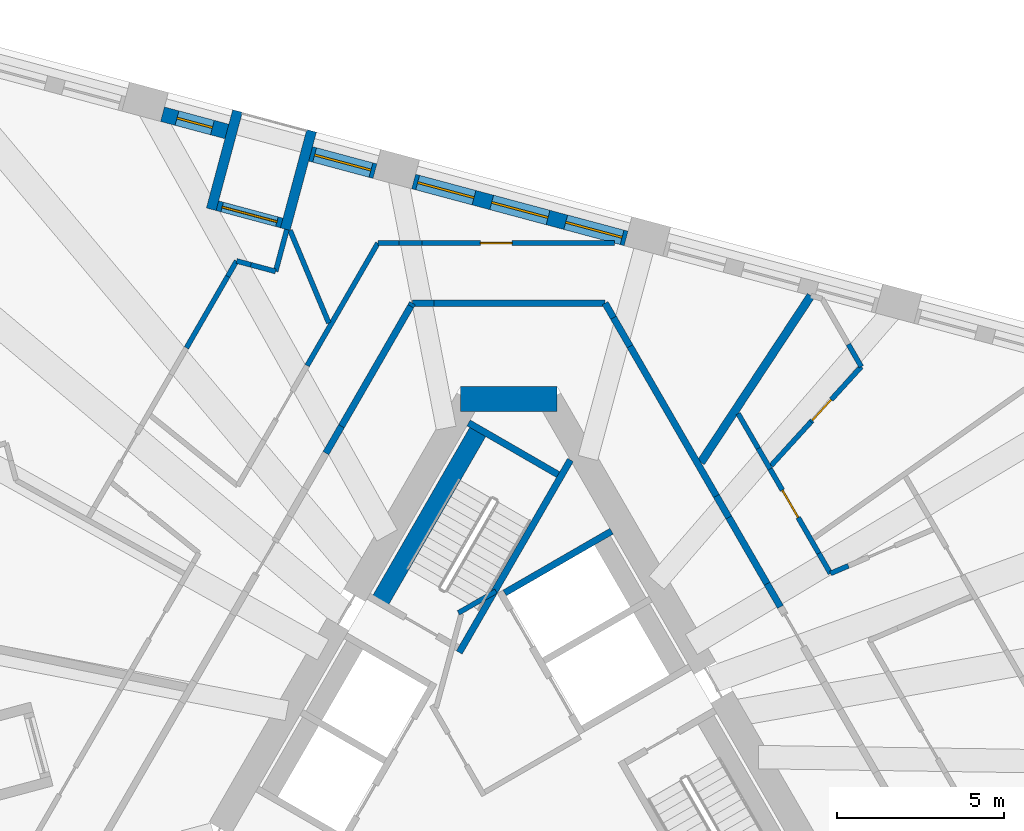
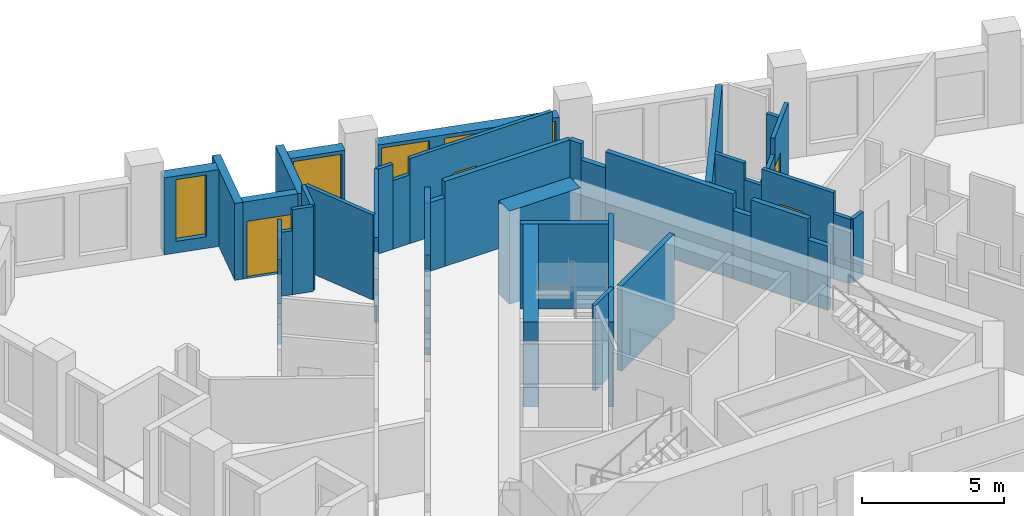
# One storey, part 7 of 13: 42 walls, 5 windows, 4 doors, 9 openings.
"""IFC4 building model written with IfcOpenShell, lengths in metres."""

from ifc_helpers import new_model, si_unit, direction, frame, frame_2d, origin, place, context, subcontext, project, spatial, rectangle, extrude, material, layer, layer_set, type_object, element, fill, save


model = new_model("IFC4")

# Units and contexts
model_context = context("Model", 3, precision=1e-05, world=origin(), true_north=direction((0.0, 1.0)))
body_context = subcontext(model_context, "Body", "Model", "MODEL_VIEW")
ifc_project = project(units=[si_unit("LENGTHUNIT", "METRE"), si_unit("AREAUNIT", "SQUARE_METRE"), si_unit("VOLUMEUNIT", "CUBIC_METRE"), si_unit("PLANEANGLEUNIT", "RADIAN"), si_unit("MASSUNIT", "GRAM", prefix="KILO")], contexts=[model_context])

# Site, building, storey
site_placement = place(None, origin())
site = spatial("IfcSite", under=ifc_project, at=site_placement, CompositionType="ELEMENT")
building_placement = place(site_placement, origin())
building = spatial("IfcBuilding", under=site, at=building_placement, Name="Tramontana Tower", CompositionType="ELEMENT")
storey_placement = place(building_placement, frame((0.0, 0.0, 224.0)))
storey = spatial("IfcBuildingStorey", under=building, at=storey_placement, Name="L52", CompositionType="ELEMENT", Elevation=224.0)

# Walls
ifc_material_1 = material(Name="Concrete 70 MPa", Category="concrete")
ifc_layer_1 = layer(ifc_material_1, 0.75)
ifc_layer_set_1 = layer_set([ifc_layer_1], Name="Core wall 750 70 MPa")
wall_type_1 = type_object("IfcWallType", Name="Core wall 750 70 MPa", PredefinedType="SHEAR", material=ifc_layer_set_1)
wall_1_placement = place(storey_placement, frame((1.443359375, 10.625, 0.0), z_axis=(0.0, 0.0, 1.0), x_axis=(-1.0, 0.0, 0.0)))
element("IfcWall", 1, at=wall_1_placement, inside=storey, type_object=wall_type_1, Name="Core wall C0 L52", PredefinedType="SHEAR", context=body_context, shape_type="SweptSolid", body=[
    extrude(rectangle(XDim=2.88671875, YDim=0.75, at=frame_2d((1.443359375, 0.0))), origin(), (0.0, 0.0, 1.0), 4.0),
])
ifc_material_2 = material(Name="Blockwork", Category="masonry")
ifc_layer_2 = layer(ifc_material_2, 0.199951171875)
ifc_layer_set_2 = layer_set([ifc_layer_2], Name="ENTRY WALL 200")
wall_type_2 = type_object("IfcWallType", Name="ENTRY WALL 200", PredefinedType="SOLIDWALL", material=ifc_layer_set_2)
wall_2_placement = place(storey_placement, frame((2.88671875, 13.5, 0.0), z_axis=(0.0, 0.0, 1.0), x_axis=(0.500002592159, -0.866023907196, 0.0)))
element("IfcWall", 2, at=wall_2_placement, inside=storey, type_object=wall_type_2, Name="Wall v52-ew0-0", PredefinedType="SOLIDWALL", context=body_context, shape_type="SweptSolid", body=[
    extrude(rectangle(XDim=0.5029296875, YDim=0.199951171875, at=frame_2d((0.25146484375, 0.0))), origin(), (0.0, 0.0, 1.0), 3.64990234375),
])
wall_3_placement = place(storey_placement, frame((3.13818359375, 13.064453125, 0.0), z_axis=(0.0, 0.0, 1.0), x_axis=(0.500063959222, -0.865988473761, 0.0)))
element("IfcWall", 3, at=wall_3_placement, inside=storey, type_object=wall_type_2, Name="Wall v52-ew0-1", PredefinedType="SOLIDWALL", context=body_context, shape_type="SweptSolid", body=[
    extrude(rectangle(XDim=0.989990234375, YDim=0.199951171875, at=frame_2d((0.4951171875, 0.0))), origin(), (0.0, 0.0, 1.0), 2.949951171875),
])
wall_4_placement = place(storey_placement, frame((3.63330078125, 12.20703125, 0.0), z_axis=(0.0, 0.0, 1.0), x_axis=(0.499990271856, -0.866031020258, 0.0)))
element("IfcWall", 4, at=wall_4_placement, inside=storey, type_object=wall_type_2, Name="Wall v52-ew0-2", PredefinedType="SOLIDWALL", context=body_context, shape_type="SweptSolid", body=[
    extrude(rectangle(XDim=5.181640625, YDim=0.199951171875, at=frame_2d((2.5908203125, 0.0))), origin(), (0.0, 0.0, 1.0), 3.64990234375),
])
wall_5_placement = place(storey_placement, frame((6.22412109375, 7.719482421875, 0.0), z_axis=(0.0, 0.0, 1.0), x_axis=(0.499931655587, -0.866064858854, 0.0)))
element("IfcWall", 5, at=wall_5_placement, inside=storey, type_object=wall_type_2, Name="Wall v52-ew0-3", PredefinedType="SOLIDWALL", context=body_context, shape_type="SweptSolid", body=[
    extrude(rectangle(XDim=0.74072265625, YDim=0.199951171875, at=frame_2d((0.370361328125, 0.0))), origin(), (0.0, 0.0, 1.0), 2.949951171875),
])
wall_6_placement = place(storey_placement, frame((6.594482421875, 7.077880859375, 0.0), z_axis=(0.0, 0.0, 1.0), x_axis=(0.500013761451, -0.866017458461, 0.0)))
element("IfcWall", 6, at=wall_6_placement, inside=storey, type_object=wall_type_2, Name="Wall v52-ew0-4", PredefinedType="SOLIDWALL", context=body_context, shape_type="SweptSolid", body=[
    extrude(rectangle(XDim=2.29736328125, YDim=0.199951171875, at=frame_2d((1.148681640625, 0.0))), origin(), (0.0, 0.0, 1.0), 3.64990234375),
])
wall_7_placement = place(storey_placement, frame((7.7431640625, 5.08837890625, 0.0), z_axis=(0.0, 0.0, 1.0), x_axis=(0.500109828528, -0.865961984968, 0.0)))
element("IfcWall", 7, at=wall_7_placement, inside=storey, type_object=wall_type_2, Name="Wall v52-ew0-5", PredefinedType="SOLIDWALL", context=body_context, shape_type="SweptSolid", body=[
    extrude(rectangle(XDim=0.800048828125, YDim=0.199951171875, at=frame_2d((0.39990234375, 0.0))), origin(), (0.0, 0.0, 1.0), 2.75),
])
wall_8_placement = place(storey_placement, frame((-5.482666015625, 9.003662109375, 0.0), z_axis=(0.0, 0.0, 1.0), x_axis=(0.499971966783, 0.866041588165, 0.0)))
element("IfcWall", 8, at=wall_8_placement, inside=storey, type_object=wall_type_2, Name="Wall v52-ew4-11", PredefinedType="SOLIDWALL", context=body_context, shape_type="SweptSolid", body=[
    extrude(rectangle(XDim=0.931640625, YDim=0.199951171875, at=frame_2d((0.4658203125, 0.0))), origin(), (0.0, 0.0, 1.0), 2.75),
])
wall_9_placement = place(storey_placement, frame((-5.016845703125, 9.810546875, 0.0), z_axis=(0.0, 0.0, 1.0), x_axis=(0.499993700073, 0.866029041019, 0.0)))
element("IfcWall", 9, at=wall_9_placement, inside=storey, type_object=wall_type_2, Name="Wall v52-ew4-12", PredefinedType="SOLIDWALL", context=body_context, shape_type="SweptSolid", body=[
    extrude(rectangle(XDim=4.1552734375, YDim=0.199951171875, at=frame_2d((2.07763671875, 0.0))), origin(), (0.0, 0.0, 1.0), 3.64990234375),
])
wall_10_placement = place(storey_placement, frame((-2.939208984375, 13.4091796875, 0.0), z_axis=(0.0, 0.0, 1.0), x_axis=(0.500393920955, 0.865797853931, 0.0)))
element("IfcWall", 10, at=wall_10_placement, inside=storey, type_object=wall_type_2, Name="Wall v52-ew4-13", PredefinedType="SOLIDWALL", context=body_context, shape_type="SweptSolid", body=[
    extrude(rectangle(XDim=0.10498046875, YDim=0.199951171875, at=frame_2d((0.052490234375, 0.0))), origin(), (0.0, 0.0, 1.0), 2.949951171875),
])
wall_11_placement = place(storey_placement, frame((-2.88671875, 13.5, 0.0), z_axis=(0.0, 0.0, 1.0), x_axis=(1.0, 0.0, 0.0)))
element("IfcWall", 11, at=wall_11_placement, inside=storey, type_object=wall_type_2, Name="Wall v52-ew5-0", PredefinedType="SOLIDWALL", context=body_context, shape_type="SweptSolid", body=[
    extrude(rectangle(XDim=0.642822265625, YDim=0.199951171875, at=frame_2d((0.3212890625, 0.0))), origin(), (0.0, 0.0, 1.0), 2.949951171875),
])
wall_12_placement = place(storey_placement, frame((-2.243896484375, 13.5, 0.0), z_axis=(0.0, 0.0, 1.0), x_axis=(1.0, 0.0, 0.0)))
element("IfcWall", 12, at=wall_12_placement, inside=storey, type_object=wall_type_2, Name="Wall v52-ew5-1", PredefinedType="SOLIDWALL", context=body_context, shape_type="SweptSolid", body=[
    extrude(rectangle(XDim=5.130615234375, YDim=0.199951171875, at=frame_2d((2.5654296875, 0.0))), origin(), (0.0, 0.0, 1.0), 3.64990234375),
])

# Wall, openings, windows
ifc_material_3 = material(Name="Precast concrete 60 MPa", Category="concrete")
ifc_layer_3 = layer(ifc_material_3, 0.449951171875)
ifc_layer_set_3 = layer_set([ifc_layer_3], Name="Precast concrete 60 MPa, 450 mm")
wall_type_3 = type_object("IfcWallType", Name="EW1 Stone-faced precast wall 450", PredefinedType="SOLIDWALL", material=ifc_layer_set_3)
wall_13_placement = place(storey_placement, frame((3.516357421875, 15.441162109375, 0.0), z_axis=(0.0, 0.0, 1.0), x_axis=(-0.965933178973, 0.258791602952, 0.0)))
wall_13 = element("IfcWall", 13, at=wall_13_placement, inside=storey, type_object=wall_type_3, Name="External wall L52 face 2 bay 4", PredefinedType="SOLIDWALL", context=body_context, shape_type="SweptSolid", body=[
    extrude(rectangle(XDim=6.59423828125, YDim=0.449951171875, at=frame_2d((3.297119140625, 0.0))), origin(), (0.0, 0.0, 1.0), 3.300048828125),
])
opening_1_placement = place(wall_13_placement, frame((0.1240234375, 0.0, 0.5)))
opening_1 = element("IfcOpeningElement", 14, at=opening_1_placement, cuts=wall_13, Name="Opening M2", PredefinedType="OPENING", context=body_context, shape_type="SweptSolid", body=[
    extrude(rectangle(XDim=1.75, YDim=2.64990234375, at=frame_2d((0.875, 1.324951171875))), frame((0.0, 0.23486328125, 0.0), z_axis=(0.0, -1.0, 0.0), x_axis=(1.0, 0.0, 0.0)), (0.0, 0.0, 1.0), 0.469970703125),
])
opening_2_placement = place(wall_13_placement, frame((2.422119140625, 0.0, 0.5)))
opening_2 = element("IfcOpeningElement", 15, at=opening_2_placement, cuts=wall_13, Name="Opening M2", PredefinedType="OPENING", context=body_context, shape_type="SweptSolid", body=[
    extrude(rectangle(XDim=1.75, YDim=2.64990234375, at=frame_2d((0.875, 1.324951171875))), frame((0.0, 0.23486328125, 0.0), z_axis=(0.0, -1.0, 0.0), x_axis=(1.0, 0.0, 0.0)), (0.0, 0.0, 1.0), 0.469970703125),
])
opening_3_placement = place(wall_13_placement, frame((4.72021484375, 0.0, 0.5)))
opening_3 = element("IfcOpeningElement", 16, at=opening_3_placement, cuts=wall_13, Name="Opening M2", PredefinedType="OPENING", context=body_context, shape_type="SweptSolid", body=[
    extrude(rectangle(XDim=1.75, YDim=2.64990234375, at=frame_2d((0.875, 1.324951171875))), frame((0.0, 0.23486328125, 0.0), z_axis=(0.0, -1.0, 0.0), x_axis=(1.0, 0.0, 0.0)), (0.0, 0.0, 1.0), 0.469970703125),
])
ifc_material_4 = material(Name="Aluminum frame, double glazing unit", Category="aluminium")
window_type_1 = type_object("IfcWindowType", Name="M2 Window 1.75 x 2.65", PartitioningType="SINGLE_PANEL", PredefinedType="WINDOW", material=ifc_material_4)
window_1_placement = place(opening_1_placement, origin())
window_1 = element("IfcWindow", 17, at=window_1_placement, inside=storey, type_object=window_type_1, Name="Window M2 L52 face 2 module 10", OverallHeight=2.64990234375, OverallWidth=1.75, PartitioningType="SINGLE_PANEL", PredefinedType="WINDOW", context=body_context, shape_type="SweptSolid", body=[
    extrude(rectangle(XDim=1.75, YDim=2.64990234375, at=frame_2d((0.875, 1.324951171875))), frame((0.0, 0.030029296875, 0.0), z_axis=(0.0, -1.0, 0.0), x_axis=(1.0, 0.0, 0.0)), (0.0, 0.0, 1.0), 0.06005859375),
])
fill(opening_1, window_1)
window_2_placement = place(opening_2_placement, origin())
window_2 = element("IfcWindow", 18, at=window_2_placement, inside=storey, type_object=window_type_1, Name="Window M2 L52 face 2 module 11", OverallHeight=2.64990234375, OverallWidth=1.75, PartitioningType="SINGLE_PANEL", PredefinedType="WINDOW", context=body_context, shape_type="SweptSolid", body=[
    extrude(rectangle(XDim=1.75, YDim=2.64990234375, at=frame_2d((0.875, 1.324951171875))), frame((0.0, 0.030029296875, 0.0), z_axis=(0.0, -1.0, 0.0), x_axis=(1.0, 0.0, 0.0)), (0.0, 0.0, 1.0), 0.06005859375),
])
fill(opening_2, window_2)
window_3_placement = place(opening_3_placement, origin())
window_3 = element("IfcWindow", 19, at=window_3_placement, inside=storey, type_object=window_type_1, Name="Window M2 L52 face 2 module 12", OverallHeight=2.64990234375, OverallWidth=1.75, PartitioningType="SINGLE_PANEL", PredefinedType="WINDOW", context=body_context, shape_type="SweptSolid", body=[
    extrude(rectangle(XDim=1.75, YDim=2.64990234375, at=frame_2d((0.875, 1.324951171875))), frame((0.0, 0.030029296875, 0.0), z_axis=(0.0, -1.0, 0.0), x_axis=(1.0, 0.0, 0.0)), (0.0, 0.0, 1.0), 0.06005859375),
])
fill(opening_3, window_3)

# Wall, opening, window
wall_14_placement = place(storey_placement, frame((-4.012451171875, 17.458251953125, 0.0), z_axis=(0.0, 0.0, 1.0), x_axis=(-0.965899500874, 0.25891727291, 0.0)))
wall_14 = element("IfcWall", 20, at=wall_14_placement, inside=storey, type_object=wall_type_3, Name="External wall L52 face 2 bay 5", PredefinedType="SOLIDWALL", context=body_context, shape_type="SweptSolid", body=[
    extrude(rectangle(XDim=1.998046875, YDim=0.449951171875, at=frame_2d((0.9990234375, 0.0))), origin(), (0.0, 0.0, 1.0), 3.300048828125),
])
opening_4_placement = place(wall_14_placement, frame((0.1240234375, 0.0, 0.5)))
opening_4 = element("IfcOpeningElement", 21, at=opening_4_placement, cuts=wall_14, Name="Opening M2", PredefinedType="OPENING", context=body_context, shape_type="SweptSolid", body=[
    extrude(rectangle(XDim=1.75, YDim=2.64990234375, at=frame_2d((0.875, 1.324951171875))), frame((0.0, 0.23486328125, 0.0), z_axis=(0.0, -1.0, 0.0), x_axis=(1.0, 0.0, 0.0)), (0.0, 0.0, 1.0), 0.469970703125),
])
window_4_placement = place(opening_4_placement, origin())
window_4 = element("IfcWindow", 22, at=window_4_placement, inside=storey, type_object=window_type_1, Name="Window M2 L52 face 2 module 13", OverallHeight=2.64990234375, OverallWidth=1.75, PartitioningType="SINGLE_PANEL", PredefinedType="WINDOW", context=body_context, shape_type="SweptSolid", body=[
    extrude(rectangle(XDim=1.75, YDim=2.64990234375, at=frame_2d((0.875, 1.324951171875))), frame((0.0, 0.030029296875, 0.0), z_axis=(0.0, -1.0, 0.0), x_axis=(1.0, 0.0, 0.0)), (0.0, 0.0, 1.0), 0.06005859375),
])
fill(opening_4, window_4)

wall_15_placement = place(storey_placement, frame((-8.451904296875, 18.64794921875, 0.0), z_axis=(0.0, 0.0, 1.0), x_axis=(-0.96593005298, 0.258803270362, 0.0)))
wall_15 = element("IfcWall", 23, at=wall_15_placement, inside=storey, type_object=wall_type_3, Name="External wall L52 face 2 bay 5", PredefinedType="SOLIDWALL", context=body_context, shape_type="SweptSolid", body=[
    extrude(rectangle(XDim=1.998046875, YDim=0.449951171875, at=frame_2d((0.9990234375, 0.0))), origin(), (0.0, 0.0, 1.0), 3.300048828125),
])
opening_5_placement = place(wall_15_placement, frame((0.448974609375, 0.0, 0.5)))
opening_5 = element("IfcOpeningElement", 24, at=opening_5_placement, cuts=wall_15, Name="Opening N2", PredefinedType="OPENING", context=body_context, shape_type="SweptSolid", body=[
    extrude(rectangle(XDim=1.10009765625, YDim=2.64990234375, at=frame_2d((0.550048828125, 1.324951171875))), frame((0.0, 0.23486328125, 0.0), z_axis=(0.0, -1.0, 0.0), x_axis=(1.0, 0.0, 0.0)), (0.0, 0.0, 1.0), 0.469970703125),
])
ifc_material_5 = material(Name="Aluminum frame, double glazing unit", Category="aluminium")
window_type_2 = type_object("IfcWindowType", Name="N2 Window 1.1 x 2.65", PartitioningType="SINGLE_PANEL", PredefinedType="WINDOW", material=ifc_material_5)
window_5_placement = place(opening_5_placement, origin())
window_5 = element("IfcWindow", 25, at=window_5_placement, inside=storey, type_object=window_type_2, Name="Window N2 L52 face 2 module 15", OverallHeight=2.64990234375, OverallWidth=1.10009765625, PartitioningType="SINGLE_PANEL", PredefinedType="WINDOW", context=body_context, shape_type="SweptSolid", body=[
    extrude(rectangle(XDim=1.10009765625, YDim=2.64990234375, at=frame_2d((0.550048828125, 1.324951171875))), frame((0.0, 0.030029296875, 0.0), z_axis=(0.0, -1.0, 0.0), x_axis=(1.0, 0.0, 0.0)), (0.0, 0.0, 1.0), 0.06005859375),
])
fill(opening_5, window_5)

# Wall, opening, door
ifc_material_6 = material(Name="Precast concrete 60 MPa", Category="concrete")
ifc_layer_4 = layer(ifc_material_6, 0.300048828125)
ifc_layer_set_4 = layer_set([ifc_layer_4], Name="LW1 Stone-faced loggia wall 300")
wall_type_4 = type_object("IfcWallType", Name="LW1 Stone-faced loggia wall 300", PredefinedType="SOLIDWALL", material=ifc_layer_set_4)
wall_16_placement = place(storey_placement, frame((-6.80810546875, 15.904052734375, 0.0), z_axis=(0.0, 0.0, 1.0), x_axis=(-0.96593005298, 0.258803270362, 0.0)))
wall_16 = element("IfcWall", 26, at=wall_16_placement, inside=storey, type_object=wall_type_4, Name="Loggia wall L52 G5S2.13", PredefinedType="SOLIDWALL", context=body_context, shape_type="SweptSolid", body=[
    extrude(rectangle(XDim=1.998046875, YDim=0.300048828125, at=frame_2d((0.9990234375, 0.0))), origin(), (0.0, 0.0, 1.0), 3.300048828125),
])
opening_6_placement = place(wall_16_placement, frame((0.14892578125, 0.0, 0.0)))
opening_6 = element("IfcOpeningElement", 27, at=opening_6_placement, cuts=wall_16, Name="Opening BD-5S2-13", PredefinedType="OPENING", context=body_context, shape_type="SweptSolid", body=[
    extrude(rectangle(XDim=1.699951171875, YDim=2.449951171875, at=frame_2d((0.85009765625, 1.22509765625))), frame((0.0, 0.159912109375, 0.0), z_axis=(0.0, -1.0, 0.0), x_axis=(1.0, 0.0, 0.0)), (0.0, 0.0, 1.0), 0.320068359375),
])
ifc_material_7 = material(Name="Aluminum frame, double glazing unit", Category="aluminium")
door_type_1 = type_object("IfcDoorType", Name="BD2 Sliding door 1.7 x 2.45", OperationType="SLIDING_TO_LEFT", PredefinedType="DOOR", material=ifc_material_7)
door_1_placement = place(opening_6_placement, origin())
door_1 = element("IfcDoor", 28, at=door_1_placement, inside=storey, type_object=door_type_1, Name="Loggia door L52 G5S2.13", OperationType="SLIDING_TO_LEFT", OverallHeight=2.449951171875, OverallWidth=1.699951171875, PredefinedType="DOOR", context=body_context, shape_type="SweptSolid", body=[
    extrude(rectangle(XDim=1.699951171875, YDim=2.449951171875, at=frame_2d((0.85009765625, 1.22509765625))), frame((0.0, 0.02490234375, 0.0), z_axis=(0.0, -1.0, 0.0), x_axis=(1.0, 0.0, 0.0)), (0.0, 0.0, 1.0), 0.050048828125),
])
fill(opening_6, door_1)

# Walls
wall_17_placement = place(storey_placement, frame((-5.91259765625, 18.666259765625, 0.0), z_axis=(0.0, 0.0, 1.0), x_axis=(-0.258793435045, -0.965932688119, 0.0)))
element("IfcWall", 29, at=wall_17_placement, inside=storey, type_object=wall_type_4, Name="Loggia return L52 G5S2.13a", PredefinedType="SOLIDWALL", context=body_context, shape_type="SweptSolid", body=[
    extrude(rectangle(XDim=3.050048828125, YDim=0.300048828125, at=frame_2d((1.52490234375, 0.0))), origin(), (0.0, 0.0, 1.0), 3.300048828125),
])
wall_18_placement = place(storey_placement, frame((-8.13232421875, 19.26123046875, 0.0), z_axis=(0.0, 0.0, 1.0), x_axis=(-0.25877342651, -0.9659380486, 0.0)))
element("IfcWall", 30, at=wall_18_placement, inside=storey, type_object=wall_type_4, Name="Loggia return L52 G5S2.13b", PredefinedType="SOLIDWALL", context=body_context, shape_type="SweptSolid", body=[
    extrude(rectangle(XDim=3.05029296875, YDim=0.300048828125, at=frame_2d((1.525146484375, 0.0))), origin(), (0.0, 0.0, 1.0), 3.300048828125),
])
ifc_material_8 = material(Name="Gypsum board partition")
ifc_layer_5 = layer(ifc_material_8, 0.14990234375)
ifc_layer_set_5 = layer_set([ifc_layer_5], Name="PARTITION 150")
wall_type_5 = type_object("IfcWallType", Name="PARTITION 150", PredefinedType="PARTITIONING", material=ifc_layer_set_5)
wall_19_placement = place(storey_placement, frame((-1.509765625, 4.21484375, 0.0), z_axis=(0.0, 0.0, 1.0), x_axis=(0.866085525409, 0.49989585183, 0.0)))
element("IfcWall", 31, at=wall_19_placement, inside=storey, type_object=wall_type_5, Name="Wall ff-end1", PredefinedType="PARTITIONING", context=body_context, shape_type="SweptSolid", body=[
    extrude(rectangle(XDim=1.300048828125, YDim=0.14990234375, at=frame_2d((0.64990234375, 0.0))), origin(), (0.0, 0.0, 1.0), 3.64990234375),
])
wall_20_placement = place(storey_placement, frame((-9.664306640625, 12.16064453125, 0.0), z_axis=(0.0, 0.0, 1.0), x_axis=(0.499978546328, 0.866037789714, 0.0)))
element("IfcWall", 32, at=wall_20_placement, inside=storey, type_object=wall_type_5, Name="Wall v52-pw04-5", PredefinedType="PARTITIONING", context=body_context, shape_type="SweptSolid", body=[
    extrude(rectangle(XDim=2.4755859375, YDim=0.14990234375, at=frame_2d((1.23779296875, 0.0))), origin(), (0.0, 0.0, 1.0), 3.64990234375),
])
wall_21_placement = place(storey_placement, frame((-8.426513671875, 14.3046875, 0.0), z_axis=(0.0, 0.0, 1.0), x_axis=(0.499695946567, 0.866200877964, 0.0)))
element("IfcWall", 33, at=wall_21_placement, inside=storey, type_object=wall_type_5, Name="Wall v52-pw04-6", PredefinedType="PARTITIONING", context=body_context, shape_type="SweptSolid", body=[
    extrude(rectangle(XDim=0.531494140625, YDim=0.14990234375, at=frame_2d((0.265625, 0.0))), origin(), (0.0, 0.0, 1.0), 2.75),
])
wall_22_placement = place(storey_placement, frame((-8.16064453125, 14.76513671875, 0.0), z_axis=(0.0, 0.0, 1.0), x_axis=(0.965859623148, -0.259065992313, 0.0)))
element("IfcWall", 34, at=wall_22_placement, inside=storey, type_object=wall_type_5, Name="Wall v52-pw10-0", PredefinedType="PARTITIONING", context=body_context, shape_type="SweptSolid", body=[
    extrude(rectangle(XDim=0.44384765625, YDim=0.14990234375, at=frame_2d((0.221923828125, 0.0))), origin(), (0.0, 0.0, 1.0), 2.75),
])
wall_23_placement = place(storey_placement, frame((-7.73193359375, 14.650146484375, 0.0), z_axis=(0.0, 0.0, 1.0), x_axis=(0.965938094805, -0.258773254036, 0.0)))
element("IfcWall", 35, at=wall_23_placement, inside=storey, type_object=wall_type_5, Name="Wall v52-pw10-1", PredefinedType="PARTITIONING", context=body_context, shape_type="SweptSolid", body=[
    extrude(rectangle(XDim=0.76611328125, YDim=0.14990234375, at=frame_2d((0.383056640625, 0.0))), origin(), (0.0, 0.0, 1.0), 3.64990234375),
])
wall_24_placement = place(storey_placement, frame((-6.045654296875, 11.628662109375, 0.0), z_axis=(0.0, 0.0, 1.0), x_axis=(0.499991648869, 0.866030225258, 0.0)))
element("IfcWall", 36, at=wall_24_placement, inside=storey, type_object=wall_type_5, Name="Wall v52-pw11-4", PredefinedType="PARTITIONING", context=body_context, shape_type="SweptSolid", body=[
    extrude(rectangle(XDim=4.2392578125, YDim=0.14990234375, at=frame_2d((2.11962890625, 0.0))), origin(), (0.0, 0.0, 1.0), 3.64990234375),
])
wall_25_placement = place(storey_placement, frame((-6.989501953125, 14.453369140625, 0.0), z_axis=(0.0, 0.0, 1.0), x_axis=(0.258786222322, 0.965934620529, 0.0)))
element("IfcWall", 37, at=wall_25_placement, inside=storey, type_object=wall_type_5, Name="Wall v52-pw12", PredefinedType="PARTITIONING", context=body_context, shape_type="SweptSolid", body=[
    extrude(rectangle(XDim=1.298095703125, YDim=0.14990234375, at=frame_2d((0.64892578125, 0.0))), origin(), (0.0, 0.0, 1.0), 3.64990234375),
])
wall_26_placement = place(storey_placement, frame((-6.55712890625, 15.681396484375, 0.0), z_axis=(0.0, 0.0, 1.0), x_axis=(0.385818681899, -0.922574628254, 0.0)))
element("IfcWall", 38, at=wall_26_placement, inside=storey, type_object=wall_type_5, Name="Wall v52-pw13", PredefinedType="PARTITIONING", context=body_context, shape_type="SweptSolid", body=[
    extrude(rectangle(XDim=3.01025390625, YDim=0.14990234375, at=frame_2d((1.505126953125, 0.0))), origin(), (0.0, 0.0, 1.0), 3.64990234375),
])
wall_27_placement = place(storey_placement, frame((-3.926025390625, 15.300048828125, 0.0), z_axis=(0.0, 0.0, 1.0), x_axis=(1.0, 0.0, 0.0)))
element("IfcWall", 39, at=wall_27_placement, inside=storey, type_object=wall_type_5, Name="Wall v52-pw14-0", PredefinedType="PARTITIONING", context=body_context, shape_type="SweptSolid", body=[
    extrude(rectangle(XDim=0.635498046875, YDim=0.14990234375, at=frame_2d((0.31787109375, 0.0))), origin(), (0.0, 0.0, 1.0), 3.64990234375),
])
wall_28_placement = place(storey_placement, frame((-3.29052734375, 15.300048828125, 0.0), z_axis=(0.0, 0.0, 1.0), x_axis=(1.0, 0.0, 0.0)))
element("IfcWall", 40, at=wall_28_placement, inside=storey, type_object=wall_type_5, Name="Wall v52-pw14-1", PredefinedType="PARTITIONING", context=body_context, shape_type="SweptSolid", body=[
    extrude(rectangle(XDim=0.687255859375, YDim=0.14990234375, at=frame_2d((0.34375, 0.0))), origin(), (0.0, 0.0, 1.0), 2.949951171875),
])

# Wall, opening, door
wall_29_placement = place(storey_placement, frame((3.17333984375, 15.300048828125, 0.0), z_axis=(0.0, 0.0, 1.0), x_axis=(-1.0, 0.0, 0.0)))
wall_29 = element("IfcWall", 41, at=wall_29_placement, inside=storey, type_object=wall_type_5, Name="Wall v52-pw14-2", PredefinedType="PARTITIONING", context=body_context, shape_type="SweptSolid", body=[
    extrude(rectangle(XDim=5.776611328125, YDim=0.14990234375, at=frame_2d((2.88818359375, 0.0))), origin(), (0.0, 0.0, 1.0), 3.64990234375),
])
opening_7_placement = place(wall_29_placement, frame((3.07470703125, 0.0, 0.0)))
opening_7 = element("IfcOpeningElement", 42, at=opening_7_placement, cuts=wall_29, Name="Opening B5C-04", PredefinedType="OPENING", context=body_context, shape_type="SweptSolid", body=[
    extrude(rectangle(XDim=0.949951171875, YDim=2.39990234375, at=frame_2d((0.47509765625, 1.199951171875))), frame((0.0, 0.0849609375, 0.0), z_axis=(0.0, -1.0, 0.0), x_axis=(1.0, 0.0, 0.0)), (0.0, 0.0, 1.0), 0.169921875),
])
ifc_material_9 = material(Name="Painted timber", Category="wood")
door_type_2 = type_object("IfcDoorType", Name="DOOR ROOM 950", OperationType="SINGLE_SWING_LEFT", PredefinedType="DOOR", material=ifc_material_9)
door_2_placement = place(opening_7_placement, origin())
door_2 = element("IfcDoor", 43, at=door_2_placement, inside=storey, type_object=door_type_2, Name="Door B5C-04", OperationType="SINGLE_SWING_RIGHT", OverallHeight=2.39990234375, OverallWidth=0.949951171875, PredefinedType="DOOR", context=body_context, shape_type="SweptSolid", body=[
    extrude(rectangle(XDim=0.949951171875, YDim=2.39990234375, at=frame_2d((0.47509765625, 1.199951171875))), frame((0.0, 0.02490234375, 0.0), z_axis=(0.0, -1.0, 0.0), x_axis=(1.0, 0.0, 0.0)), (0.0, 0.0, 1.0), 0.050048828125),
])
fill(opening_7, door_2)

# Walls
wall_30_placement = place(storey_placement, frame((6.87548828125, 10.19140625, 0.0), z_axis=(0.0, 0.0, 1.0), x_axis=(0.499973805724, -0.866040526528, 0.0)))
element("IfcWall", 44, at=wall_30_placement, inside=storey, type_object=wall_type_5, Name="Wall v52-pw24-0", PredefinedType="PARTITIONING", context=body_context, shape_type="SweptSolid", body=[
    extrude(rectangle(XDim=1.205078125, YDim=0.14990234375, at=frame_2d((0.6025390625, 0.0))), origin(), (0.0, 0.0, 1.0), 3.64990234375),
])
wall_31_placement = place(storey_placement, frame((7.47802734375, 9.147705078125, 0.0), z_axis=(0.0, 0.0, 1.0), x_axis=(0.499998569178, -0.866026229868, 0.0)))
element("IfcWall", 45, at=wall_31_placement, inside=storey, type_object=wall_type_5, Name="Wall v52-pw24-1", PredefinedType="PARTITIONING", context=body_context, shape_type="SweptSolid", body=[
    extrude(rectangle(XDim=0.71435546875, YDim=0.14990234375, at=frame_2d((0.357177734375, 0.0))), origin(), (0.0, 0.0, 1.0), 2.949951171875),
])

# Wall, opening, door
wall_32_placement = place(storey_placement, frame((7.835205078125, 8.529052734375, 0.0), z_axis=(0.0, 0.0, 1.0), x_axis=(0.49998782916, -0.866032430508, 0.0)))
wall_32 = element("IfcWall", 46, at=wall_32_placement, inside=storey, type_object=wall_type_5, Name="Wall v52-pw24-2", PredefinedType="PARTITIONING", context=body_context, shape_type="SweptSolid", body=[
    extrude(rectangle(XDim=2.919921875, YDim=0.14990234375, at=frame_2d((1.4599609375, 0.0))), origin(), (0.0, 0.0, 1.0), 3.64990234375),
])
opening_8_placement = place(wall_32_placement, frame((0.73046875, 0.0, 0.0)))
opening_8 = element("IfcOpeningElement", 47, at=opening_8_placement, cuts=wall_32, Name="Opening B5C-15", PredefinedType="OPENING", context=body_context, shape_type="SweptSolid", body=[
    extrude(rectangle(XDim=0.949951171875, YDim=2.39990234375, at=frame_2d((0.47509765625, 1.199951171875))), frame((0.0, 0.0849609375, 0.0), z_axis=(0.0, -1.0, 0.0), x_axis=(1.0, 0.0, 0.0)), (0.0, 0.0, 1.0), 0.169921875),
])
door_3_placement = place(opening_8_placement, origin())
door_3 = element("IfcDoor", 48, at=door_3_placement, inside=storey, type_object=door_type_2, Name="Door B5C-15", OperationType="SINGLE_SWING_LEFT", OverallHeight=2.39990234375, OverallWidth=0.949951171875, PredefinedType="DOOR", context=body_context, shape_type="SweptSolid", body=[
    extrude(rectangle(XDim=0.949951171875, YDim=2.39990234375, at=frame_2d((0.47509765625, 1.199951171875))), frame((0.0, 0.02490234375, 0.0), z_axis=(0.0, -1.0, 0.0), x_axis=(1.0, 0.0, 0.0)), (0.0, 0.0, 1.0), 0.050048828125),
])
fill(opening_8, door_3)

# Walls
wall_33_placement = place(storey_placement, frame((9.295166015625, 6.000244140625, 0.0), z_axis=(0.0, 0.0, 1.0), x_axis=(0.499985493453, -0.866033778982, 0.0)))
element("IfcWall", 49, at=wall_33_placement, inside=storey, type_object=wall_type_5, Name="Wall v52-pw24-3", PredefinedType="PARTITIONING", context=body_context, shape_type="SweptSolid", body=[
    extrude(rectangle(XDim=0.6962890625, YDim=0.14990234375, at=frame_2d((0.34814453125, 0.0))), origin(), (0.0, 0.0, 1.0), 2.75),
])
wall_34_placement = place(storey_placement, frame((10.180419921875, 12.26708984375, 0.0), z_axis=(0.0, 0.0, 1.0), x_axis=(0.499804398801, -0.866138304741, 0.0)))
element("IfcWall", 50, at=wall_34_placement, inside=storey, type_object=wall_type_5, Name="Wall v52-pw28-1", PredefinedType="PARTITIONING", context=body_context, shape_type="SweptSolid", body=[
    extrude(rectangle(XDim=0.773681640625, YDim=0.14990234375, at=frame_2d((0.38671875, 0.0))), origin(), (0.0, 0.0, 1.0), 2.949951171875),
])
wall_35_placement = place(storey_placement, frame((9.645751953125, 5.396484375, 0.0), z_axis=(0.0, 0.0, 1.0), x_axis=(0.918841074694, 0.394627773294, 0.0)))
element("IfcWall", 51, at=wall_35_placement, inside=storey, type_object=wall_type_5, Name="Wall v52-pw29-0", PredefinedType="PARTITIONING", context=body_context, shape_type="SweptSolid", body=[
    extrude(rectangle(XDim=0.582275390625, YDim=0.14990234375, at=frame_2d((0.291015625, 0.0))), origin(), (0.0, 0.0, 1.0), 2.75),
])

# Wall, opening, door
wall_36_placement = place(storey_placement, frame((9.060302734375, 9.943359375, 0.0), z_axis=(0.0, 0.0, 1.0), x_axis=(0.673552274043, 0.739139590423, 0.0)))
wall_36 = element("IfcWall", 52, at=wall_36_placement, inside=storey, type_object=wall_type_5, Name="Wall v52-pw30-0", PredefinedType="PARTITIONING", context=body_context, shape_type="SweptSolid", body=[
    extrude(rectangle(XDim=2.237060546875, YDim=0.14990234375, at=frame_2d((1.11865234375, 0.0))), origin(), (0.0, 0.0, 1.0), 3.64990234375),
])
opening_9_placement = place(wall_36_placement, frame((0.05517578125, 0.0, 0.0)))
opening_9 = element("IfcOpeningElement", 53, at=opening_9_placement, cuts=wall_36, Name="Opening B5C-16", PredefinedType="OPENING", context=body_context, shape_type="SweptSolid", body=[
    extrude(rectangle(XDim=0.85009765625, YDim=2.39990234375, at=frame_2d((0.425048828125, 1.199951171875))), frame((0.0, 0.0849609375, 0.0), z_axis=(0.0, -1.0, 0.0), x_axis=(1.0, 0.0, 0.0)), (0.0, 0.0, 1.0), 0.169921875),
])
ifc_material_10 = material(Name="Painted timber", Category="wood")
door_type_3 = type_object("IfcDoorType", Name="DOOR BATH 850", OperationType="SINGLE_SWING_LEFT", PredefinedType="DOOR", material=ifc_material_10)
door_4_placement = place(opening_9_placement, origin())
door_4 = element("IfcDoor", 54, at=door_4_placement, inside=storey, type_object=door_type_3, Name="Door B5C-16", OperationType="SINGLE_SWING_RIGHT", OverallHeight=2.39990234375, OverallWidth=0.85009765625, PredefinedType="DOOR", context=body_context, shape_type="SweptSolid", body=[
    extrude(rectangle(XDim=0.85009765625, YDim=2.39990234375, at=frame_2d((0.425048828125, 1.199951171875))), frame((0.0, 0.02490234375, 0.0), z_axis=(0.0, -1.0, 0.0), x_axis=(1.0, 0.0, 0.0)), (0.0, 0.0, 1.0), 0.050048828125),
])
fill(opening_9, door_4)

# Walls
wall_37_placement = place(storey_placement, frame((9.060302734375, 9.943359375, 0.0), z_axis=(0.0, 0.0, 1.0), x_axis=(-0.673506679072, -0.739181136966, 0.0)))
element("IfcWall", 55, at=wall_37_placement, inside=storey, type_object=wall_type_5, Name="Wall v52-pw30-1", PredefinedType="PARTITIONING", context=body_context, shape_type="SweptSolid", body=[
    extrude(rectangle(XDim=1.77685546875, YDim=0.14990234375, at=frame_2d((0.888427734375, 0.0))), origin(), (0.0, 0.0, 1.0), 2.949951171875),
])
ifc_material_11 = material(Name="Blockwork", Category="masonry")
ifc_layer_6 = layer(ifc_material_11, 0.25)
ifc_layer_set_6 = layer_set([ifc_layer_6], Name="PARTY WALL 250")
wall_type_6 = type_object("IfcWallType", Name="PARTY WALL 250", PredefinedType="SOLIDWALL", material=ifc_layer_set_6)
wall_38_placement = place(storey_placement, frame((9.056640625, 13.7236328125, 0.0), z_axis=(0.0, 0.0, 1.0), x_axis=(-0.550808125882, -0.834631899979, 0.0)))
element("IfcWall", 56, at=wall_38_placement, inside=storey, type_object=wall_type_6, Name="Wall v52-pw25", PredefinedType="SOLIDWALL", context=body_context, shape_type="SweptSolid", body=[
    extrude(rectangle(XDim=5.98779296875, YDim=0.25, at=frame_2d((2.993896484375, 0.0))), origin(), (0.0, 0.0, 1.0), 3.64990234375),
])
ifc_material_12 = material(Name="Concrete 70 MPa", Category="concrete")
ifc_layer_7 = layer(ifc_material_12, 0.550048828125)
ifc_layer_set_7 = layer_set([ifc_layer_7], Name="Concrete 70 MPa, 550 mm")
wall_type_7 = type_object("IfcWallType", Name="RC SHAFT BACK WALL 550", PredefinedType="SOLIDWALL", material=ifc_layer_set_7)
wall_39_placement = place(storey_placement, frame((-0.831298828125, 9.81005859375, 0.0), z_axis=(0.0, 0.0, 1.0), x_axis=(-0.500009909098, -0.866019682689, 0.0)))
element("IfcWall", 57, at=wall_39_placement, inside=storey, type_object=wall_type_7, Name="Wall st1-back", PredefinedType="SOLIDWALL", context=body_context, shape_type="SweptSolid", body=[
    extrude(rectangle(XDim=6.199951171875, YDim=0.550048828125, at=frame_2d((3.10009765625, 0.0))), origin(), (0.0, 0.0, 1.0), 3.64990234375),
])
ifc_material_13 = material(Name="Concrete 70 MPa", Category="concrete")
ifc_layer_8 = layer(ifc_material_13, 0.199951171875)
ifc_layer_set_8 = layer_set([ifc_layer_8], Name="Concrete 70 MPa, 200 mm")
wall_type_8 = type_object("IfcWallType", Name="RC STAIR AND SHAFT WALL 200", PredefinedType="SOLIDWALL", material=ifc_layer_set_8)
wall_40_placement = place(storey_placement, frame((1.847412109375, 8.800048828125, 0.0), z_axis=(0.0, 0.0, 1.0), x_axis=(-0.499980354584, -0.866036745774, 0.0)))
element("IfcWall", 58, at=wall_40_placement, inside=storey, type_object=wall_type_8, Name="Wall st1-front", PredefinedType="SOLIDWALL", context=body_context, shape_type="SweptSolid", body=[
    extrude(rectangle(XDim=6.664794921875, YDim=0.199951171875, at=frame_2d((3.33251953125, 0.0))), origin(), (0.0, 0.0, 1.0), 3.64990234375),
])
wall_41_placement = place(storey_placement, frame((1.478515625, 8.36083984375, 0.0), z_axis=(0.0, 0.0, 1.0), x_axis=(-0.86600983753, 0.500026960575, 0.0)))
element("IfcWall", 59, at=wall_41_placement, inside=storey, type_object=wall_type_8, Name="Wall st1-far", PredefinedType="SOLIDWALL", context=body_context, shape_type="SweptSolid", body=[
    extrude(rectangle(XDim=3.099853515625, YDim=0.199951171875, at=frame_2d((1.5498046875, 0.0))), origin(), (0.0, 0.0, 1.0), 3.64990234375),
])
wall_42_placement = place(storey_placement, frame((-0.123046875, 4.813232421875, 0.0), z_axis=(0.0, 0.0, 1.0), x_axis=(0.866000971088, 0.500042316284, 0.0)))
element("IfcWall", 60, at=wall_42_placement, inside=storey, type_object=wall_type_8, Name="Wall row2-side2", PredefinedType="SOLIDWALL", context=body_context, shape_type="SweptSolid", body=[
    extrude(rectangle(XDim=3.699951171875, YDim=0.199951171875, at=frame_2d((1.85009765625, 0.0))), origin(), (0.0, 0.0, 1.0), 3.64990234375),
])

save(model, "model.ifc")
